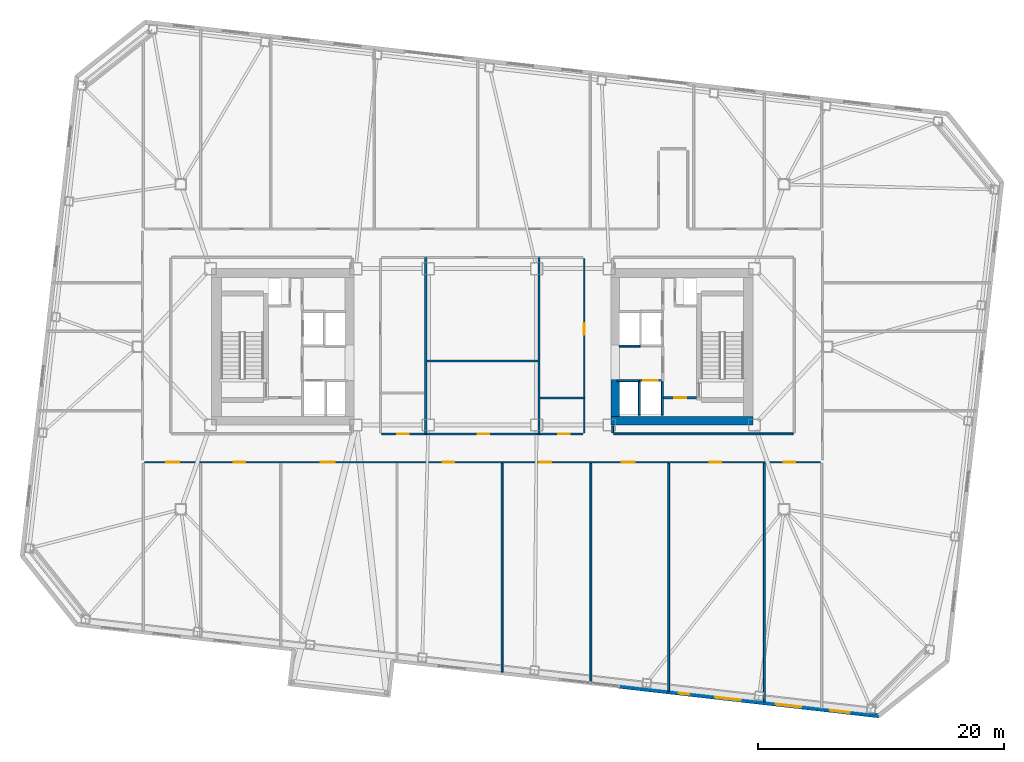
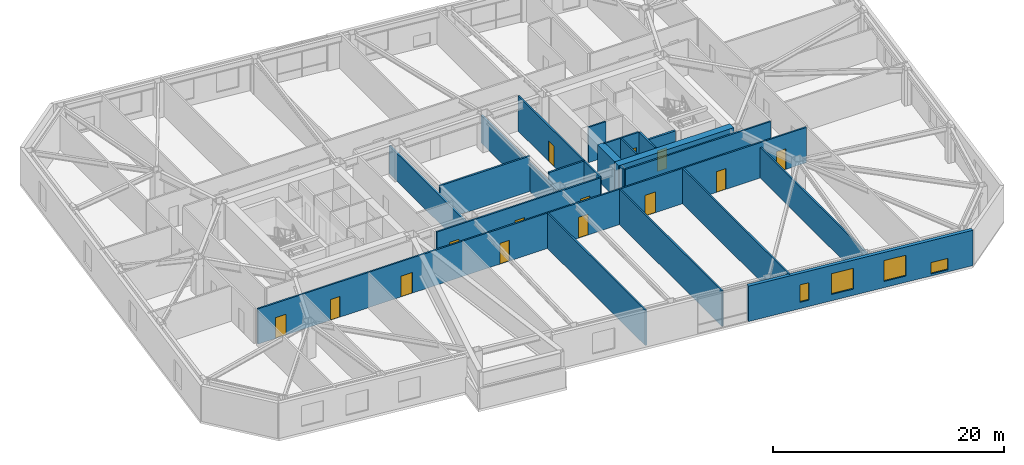
# One storey, part 11 of 19: 22 walls, 14 doors, 4 windows, 18 openings.
"""IFC4 building model written with IfcOpenShell, lengths in metres."""

from ifc_helpers import new_model, si_unit, direction, frame, frame_2d, origin, place, context, subcontext, project, spatial, rectangle, extrude, material, layer, layer_set, type_object, element, fill, save


model = new_model("IFC4")

# Units and contexts
model_context = context("Model", 3, precision=1e-05, world=origin(), true_north=direction((0.0, 1.0)))
body_context = subcontext(model_context, "Body", "Model", "MODEL_VIEW")
ifc_project = project(units=[si_unit("LENGTHUNIT", "METRE"), si_unit("AREAUNIT", "SQUARE_METRE"), si_unit("VOLUMEUNIT", "CUBIC_METRE"), si_unit("PLANEANGLEUNIT", "RADIAN"), si_unit("MASSUNIT", "GRAM", prefix="KILO")], contexts=[model_context])

# Site, building, storey
site_placement = place(None, origin())
site = spatial("IfcSite", under=ifc_project, at=site_placement, CompositionType="ELEMENT")
building_placement = place(site_placement, origin())
building = spatial("IfcBuilding", under=site, at=building_placement, Name="Tavrogorsk Clinical Tower", CompositionType="ELEMENT")
storey_placement = place(building_placement, frame((0.0, 0.0, 97.39990234375)))
storey = spatial("IfcBuildingStorey", under=building, at=storey_placement, Name="L21", CompositionType="ELEMENT", Elevation=97.39990234375)

# Wall, opening, door
ifc_material_1 = material(Name="Concrete B60", Category="concrete")
ifc_layer_1 = layer(ifc_material_1, 0.199951171875)
ifc_layer_set_1 = layer_set([ifc_layer_1], Name="Concrete B60")
wall_type_1 = type_object("IfcWallType", Name="CoreFireWall_200", PredefinedType="SOLIDWALL", material=ifc_layer_set_1)
wall_1_placement = place(storey_placement, frame((14.719970703125, -4.139892578125, 0.0), z_axis=(0.0, 0.0, 1.0), x_axis=(1.0, 0.0, 0.0)))
wall_1 = element("IfcWall", 1, at=wall_1_placement, inside=storey, type_object=wall_type_1, Name="L21 Core East South Core Room Fire Wall", PredefinedType="SOLIDWALL", context=body_context, shape_type="SweptSolid", body=[
    extrude(rectangle(XDim=2.659912109375, YDim=0.199951171875, at=frame_2d((1.330078125, 0.0))), origin(), (0.0, 0.0, 1.0), 3.739990234375),
])
opening_1_placement = place(wall_1_placement, frame((0.8798828125, 0.0, 0.0)))
opening_1 = element("IfcOpeningElement", 2, at=opening_1_placement, cuts=wall_1, Name="Opening ID-02", PredefinedType="OPENING", context=body_context, shape_type="SweptSolid", body=[
    extrude(rectangle(XDim=0.949951171875, YDim=2.199951171875, at=frame_2d((0.47509765625, 1.10009765625))), frame((0.0, 0.10986328125, 0.0), z_axis=(0.0, -1.0, 0.0), x_axis=(1.0, 0.0, 0.0)), (0.0, 0.0, 1.0), 0.219970703125),
])
ifc_material_2 = material(Name="Laminated timber leaf on aluminium frame", Category="wood")
door_type_1 = type_object("IfcDoorType", Name="InteriorDoor_ID02_950", OperationType="NOTDEFINED", PredefinedType="DOOR", material=ifc_material_2)
door_1_placement = place(opening_1_placement, origin())
door_1 = element("IfcDoor", 3, at=door_1_placement, inside=storey, type_object=door_type_1, Name="L21 Core East South Core Room Door", OperationType="SINGLE_SWING_RIGHT", OverallHeight=2.199951171875, OverallWidth=0.949951171875, PredefinedType="DOOR", context=body_context, shape_type="SweptSolid", body=[
    extrude(rectangle(XDim=0.949951171875, YDim=2.199951171875, at=frame_2d((0.47509765625, 1.10009765625))), frame((0.0, 0.02490234375, 0.0), z_axis=(0.0, -1.0, 0.0), x_axis=(1.0, 0.0, 0.0)), (0.0, 0.0, 1.0), 0.050048828125),
])
fill(opening_1, door_1)

# Wall, openings, doors
ifc_material_3 = material(Name="Lightweight concrete blockwork B15", Category="masonry")
ifc_layer_2 = layer(ifc_material_3, 0.159912109375)
ifc_layer_set_2 = layer_set([ifc_layer_2], Name="Lightweight concrete blockwork B15")
wall_type_2 = type_object("IfcWallType", Name="PartitionWall_160", PredefinedType="PARTITIONING", material=ifc_layer_set_2)
wall_2_placement = place(storey_placement, frame((27.465087890625, -9.3798828125, 0.0), z_axis=(0.0, 0.0, 1.0), x_axis=(-1.0, 0.0, 0.0)))
wall_2 = element("IfcWall", 4, at=wall_2_placement, inside=storey, type_object=wall_type_2, Name="L21 Corridor Partition 08", PredefinedType="PARTITIONING", context=body_context, shape_type="SweptSolid", body=[
    extrude(rectangle(XDim=54.93017578125, YDim=0.159912109375, at=frame_2d((27.465087890625, 0.0))), origin(), (0.0, 0.0, 1.0), 3.739990234375),
])
opening_2_placement = place(wall_2_placement, frame((52.10595703125, 0.0, 0.0)))
opening_2 = element("IfcOpeningElement", 5, at=opening_2_placement, cuts=wall_2, Name="Opening ID-04", PredefinedType="OPENING", context=body_context, shape_type="SweptSolid", body=[
    extrude(rectangle(XDim=1.050048828125, YDim=2.199951171875, at=frame_2d((0.52490234375, 1.10009765625))), frame((0.0, 0.08984375, 0.0), z_axis=(0.0, -1.0, 0.0), x_axis=(1.0, 0.0, 0.0)), (0.0, 0.0, 1.0), 0.179931640625),
])
opening_3_placement = place(wall_2_placement, frame((46.718505859375, 0.0, 0.0)))
opening_3 = element("IfcOpeningElement", 6, at=opening_3_placement, cuts=wall_2, Name="Opening ID-02", PredefinedType="OPENING", context=body_context, shape_type="SweptSolid", body=[
    extrude(rectangle(XDim=0.949951171875, YDim=2.199951171875, at=frame_2d((0.47509765625, 1.10009765625))), frame((0.0, 0.08984375, 0.0), z_axis=(0.0, -1.0, 0.0), x_axis=(1.0, 0.0, 0.0)), (0.0, 0.0, 1.0), 0.179931640625),
])
opening_4_placement = place(wall_2_placement, frame((39.46044921875, 0.0, 0.0)))
opening_4 = element("IfcOpeningElement", 7, at=opening_4_placement, cuts=wall_2, Name="Opening ID-06", PredefinedType="OPENING", context=body_context, shape_type="SweptSolid", body=[
    extrude(rectangle(XDim=1.14990234375, YDim=2.199951171875, at=frame_2d((0.574951171875, 1.10009765625))), frame((0.0, 0.08984375, 0.0), z_axis=(0.0, -1.0, 0.0), x_axis=(1.0, 0.0, 0.0)), (0.0, 0.0, 1.0), 0.179931640625),
])
opening_5_placement = place(wall_2_placement, frame((29.7470703125, 0.0, 0.0)))
opening_5 = element("IfcOpeningElement", 8, at=opening_5_placement, cuts=wall_2, Name="Opening ID-02", PredefinedType="OPENING", context=body_context, shape_type="SweptSolid", body=[
    extrude(rectangle(XDim=0.949951171875, YDim=2.199951171875, at=frame_2d((0.47509765625, 1.10009765625))), frame((0.0, 0.08984375, 0.0), z_axis=(0.0, -1.0, 0.0), x_axis=(1.0, 0.0, 0.0)), (0.0, 0.0, 1.0), 0.179931640625),
])
opening_6_placement = place(wall_2_placement, frame((21.8701171875, 0.0, 0.0)))
opening_6 = element("IfcOpeningElement", 9, at=opening_6_placement, cuts=wall_2, Name="Opening ID-02", PredefinedType="OPENING", context=body_context, shape_type="SweptSolid", body=[
    extrude(rectangle(XDim=0.949951171875, YDim=2.199951171875, at=frame_2d((0.47509765625, 1.10009765625))), frame((0.0, 0.08984375, 0.0), z_axis=(0.0, -1.0, 0.0), x_axis=(1.0, 0.0, 0.0)), (0.0, 0.0, 1.0), 0.179931640625),
])
opening_7_placement = place(wall_2_placement, frame((15.110107421875, 0.0, 0.0)))
opening_7 = element("IfcOpeningElement", 10, at=opening_7_placement, cuts=wall_2, Name="Opening ID-04", PredefinedType="OPENING", context=body_context, shape_type="SweptSolid", body=[
    extrude(rectangle(XDim=1.050048828125, YDim=2.199951171875, at=frame_2d((0.52490234375, 1.10009765625))), frame((0.0, 0.08984375, 0.0), z_axis=(0.0, -1.0, 0.0), x_axis=(1.0, 0.0, 0.0)), (0.0, 0.0, 1.0), 0.179931640625),
])
opening_8_placement = place(wall_2_placement, frame((8.06494140625, 0.0, 0.0)))
opening_8 = element("IfcOpeningElement", 11, at=opening_8_placement, cuts=wall_2, Name="Opening ID-02", PredefinedType="OPENING", context=body_context, shape_type="SweptSolid", body=[
    extrude(rectangle(XDim=0.949951171875, YDim=2.199951171875, at=frame_2d((0.47509765625, 1.10009765625))), frame((0.0, 0.08984375, 0.0), z_axis=(0.0, -1.0, 0.0), x_axis=(1.0, 0.0, 0.0)), (0.0, 0.0, 1.0), 0.179931640625),
])
opening_9_placement = place(wall_2_placement, frame((2.044189453125, 0.0, 0.0)))
opening_9 = element("IfcOpeningElement", 12, at=opening_9_placement, cuts=wall_2, Name="Opening ID-02", PredefinedType="OPENING", context=body_context, shape_type="SweptSolid", body=[
    extrude(rectangle(XDim=0.949951171875, YDim=2.199951171875, at=frame_2d((0.47509765625, 1.10009765625))), frame((0.0, 0.08984375, 0.0), z_axis=(0.0, -1.0, 0.0), x_axis=(1.0, 0.0, 0.0)), (0.0, 0.0, 1.0), 0.179931640625),
])
ifc_material_4 = material(Name="Antibacterial HPL consultation door on aluminium frame", Category="aluminium")
door_type_2 = type_object("IfcDoorType", Name="ConsultDoor_ID04_1050", OperationType="NOTDEFINED", PredefinedType="DOOR", material=ifc_material_4)
door_2_placement = place(opening_2_placement, origin())
door_2 = element("IfcDoor", 13, at=door_2_placement, inside=storey, type_object=door_type_2, Name="L21 South Endoscopy Briefing Conference Room 01 Door", OperationType="SINGLE_SWING_LEFT", OverallHeight=2.199951171875, OverallWidth=1.050048828125, PredefinedType="DOOR", context=body_context, shape_type="SweptSolid", body=[
    extrude(rectangle(XDim=1.050048828125, YDim=2.199951171875, at=frame_2d((0.52490234375, 1.10009765625))), frame((0.0, 0.02490234375, 0.0), z_axis=(0.0, -1.0, 0.0), x_axis=(1.0, 0.0, 0.0)), (0.0, 0.0, 1.0), 0.050048828125),
])
fill(opening_2, door_2)
door_3_placement = place(opening_7_placement, origin())
door_3 = element("IfcDoor", 14, at=door_3_placement, inside=storey, type_object=door_type_2, Name="L21 South Gastroenterology Academic Office 04B Door", OperationType="SINGLE_SWING_RIGHT", OverallHeight=2.199951171875, OverallWidth=1.050048828125, PredefinedType="DOOR", context=body_context, shape_type="SweptSolid", body=[
    extrude(rectangle(XDim=1.050048828125, YDim=2.199951171875, at=frame_2d((0.52490234375, 1.10009765625))), frame((0.0, 0.02490234375, 0.0), z_axis=(0.0, -1.0, 0.0), x_axis=(1.0, 0.0, 0.0)), (0.0, 0.0, 1.0), 0.050048828125),
])
fill(opening_7, door_3)
door_4_placement = place(opening_3_placement, origin())
door_4 = element("IfcDoor", 15, at=door_4_placement, inside=storey, type_object=door_type_1, Name="L21 South Patient Post-Procedure Tea Lounge 02 Door", OperationType="SINGLE_SWING_RIGHT", OverallHeight=2.199951171875, OverallWidth=0.949951171875, PredefinedType="DOOR", context=body_context, shape_type="SweptSolid", body=[
    extrude(rectangle(XDim=0.949951171875, YDim=2.199951171875, at=frame_2d((0.47509765625, 1.10009765625))), frame((0.0, 0.02490234375, 0.0), z_axis=(0.0, -1.0, 0.0), x_axis=(1.0, 0.0, 0.0)), (0.0, 0.0, 1.0), 0.050048828125),
])
fill(opening_3, door_4)
door_5_placement = place(opening_5_placement, origin())
door_5 = element("IfcDoor", 16, at=door_5_placement, inside=storey, type_object=door_type_1, Name="L21 South Biomedical Scope Storage Room 03B Door", OperationType="SINGLE_SWING_RIGHT", OverallHeight=2.199951171875, OverallWidth=0.949951171875, PredefinedType="DOOR", context=body_context, shape_type="SweptSolid", body=[
    extrude(rectangle(XDim=0.949951171875, YDim=2.199951171875, at=frame_2d((0.47509765625, 1.10009765625))), frame((0.0, 0.02490234375, 0.0), z_axis=(0.0, -1.0, 0.0), x_axis=(1.0, 0.0, 0.0)), (0.0, 0.0, 1.0), 0.050048828125),
])
fill(opening_5, door_5)
door_6_placement = place(opening_6_placement, origin())
door_6 = element("IfcDoor", 17, at=door_6_placement, inside=storey, type_object=door_type_1, Name="L21 South Patient Post-Procedure Tea Lounge 04A Door", OperationType="SINGLE_SWING_LEFT", OverallHeight=2.199951171875, OverallWidth=0.949951171875, PredefinedType="DOOR", context=body_context, shape_type="SweptSolid", body=[
    extrude(rectangle(XDim=0.949951171875, YDim=2.199951171875, at=frame_2d((0.47509765625, 1.10009765625))), frame((0.0, 0.02490234375, 0.0), z_axis=(0.0, -1.0, 0.0), x_axis=(1.0, 0.0, 0.0)), (0.0, 0.0, 1.0), 0.050048828125),
])
fill(opening_6, door_6)
door_7_placement = place(opening_8_placement, origin())
door_7 = element("IfcDoor", 18, at=door_7_placement, inside=storey, type_object=door_type_1, Name="L21 South Endoscopy Briefing Conference Room 05 Door", OperationType="SINGLE_SWING_LEFT", OverallHeight=2.199951171875, OverallWidth=0.949951171875, PredefinedType="DOOR", context=body_context, shape_type="SweptSolid", body=[
    extrude(rectangle(XDim=0.949951171875, YDim=2.199951171875, at=frame_2d((0.47509765625, 1.10009765625))), frame((0.0, 0.02490234375, 0.0), z_axis=(0.0, -1.0, 0.0), x_axis=(1.0, 0.0, 0.0)), (0.0, 0.0, 1.0), 0.050048828125),
])
fill(opening_8, door_7)
door_8_placement = place(opening_9_placement, origin())
door_8 = element("IfcDoor", 19, at=door_8_placement, inside=storey, type_object=door_type_1, Name="L21 South Patient Post-Procedure Tea Lounge 06 Door", OperationType="SINGLE_SWING_RIGHT", OverallHeight=2.199951171875, OverallWidth=0.949951171875, PredefinedType="DOOR", context=body_context, shape_type="SweptSolid", body=[
    extrude(rectangle(XDim=0.949951171875, YDim=2.199951171875, at=frame_2d((0.47509765625, 1.10009765625))), frame((0.0, 0.02490234375, 0.0), z_axis=(0.0, -1.0, 0.0), x_axis=(1.0, 0.0, 0.0)), (0.0, 0.0, 1.0), 0.050048828125),
])
fill(opening_9, door_8)
ifc_material_5 = material(Name="Antibacterial HPL procedure door on aluminium frame", Category="aluminium")
door_type_3 = type_object("IfcDoorType", Name="LabDoor_ID06_1150", OperationType="NOTDEFINED", PredefinedType="DOOR", material=ifc_material_5)
door_9_placement = place(opening_4_placement, origin())
door_9 = element("IfcDoor", 20, at=door_9_placement, inside=storey, type_object=door_type_3, Name="L21 South Endoscopy Briefing Conference Room 03A Door", OperationType="SINGLE_SWING_LEFT", OverallHeight=2.199951171875, OverallWidth=1.14990234375, PredefinedType="DOOR", context=body_context, shape_type="SweptSolid", body=[
    extrude(rectangle(XDim=1.14990234375, YDim=2.199951171875, at=frame_2d((0.574951171875, 1.10009765625))), frame((0.0, 0.02490234375, 0.0), z_axis=(0.0, -1.0, 0.0), x_axis=(1.0, 0.0, 0.0)), (0.0, 0.0, 1.0), 0.050048828125),
])
fill(opening_4, door_9)

# Walls
wall_3_placement = place(storey_placement, frame((10.580078125, -6.419921875, 0.0), z_axis=(0.0, 0.0, 1.0), x_axis=(0.0, -1.0, 0.0)))
element("IfcWall", 21, at=wall_3_placement, inside=storey, type_object=wall_type_2, Name="L21 Corridor Partition 11", PredefinedType="PARTITIONING", context=body_context, shape_type="SweptSolid", body=[
    extrude(rectangle(XDim=0.565185546875, YDim=0.159912109375, at=frame_2d((0.28271484375, 0.0))), origin(), (0.0, 0.0, 1.0), 3.739990234375),
])
wall_4_placement = place(storey_placement, frame((10.6650390625, -7.070068359375, 0.0), z_axis=(0.0, 0.0, 1.0), x_axis=(1.0, 0.0, 0.0)))
element("IfcWall", 22, at=wall_4_placement, inside=storey, type_object=wall_type_2, Name="L21 Corridor Partition 12", PredefinedType="PARTITIONING", context=body_context, shape_type="SweptSolid", body=[
    extrude(rectangle(XDim=14.570068359375, YDim=0.159912109375, at=frame_2d((7.28515625, 0.0))), origin(), (0.0, 0.0, 1.0), 3.739990234375),
])

# Wall, opening, door
wall_5_placement = place(storey_placement, frame((8.27001953125, -6.985107421875, 0.0), z_axis=(0.0, 0.0, 1.0), x_axis=(0.0, 1.0, 0.0)))
wall_5 = element("IfcWall", 23, at=wall_5_placement, inside=storey, type_object=wall_type_2, Name="L21 Corridor Partition 14", PredefinedType="PARTITIONING", context=body_context, shape_type="SweptSolid", body=[
    extrude(rectangle(XDim=14.170166015625, YDim=0.159912109375, at=frame_2d((7.0849609375, 0.0))), origin(), (0.0, 0.0, 1.0), 3.739990234375),
])
opening_10_placement = place(wall_5_placement, frame((7.9609375, 0.0, 0.0)))
opening_10 = element("IfcOpeningElement", 24, at=opening_10_placement, cuts=wall_5, Name="Opening ID-02", PredefinedType="OPENING", context=body_context, shape_type="SweptSolid", body=[
    extrude(rectangle(XDim=0.949951171875, YDim=2.199951171875, at=frame_2d((0.47509765625, 1.10009765625))), frame((0.0, 0.08984375, 0.0), z_axis=(0.0, -1.0, 0.0), x_axis=(1.0, 0.0, 0.0)), (0.0, 0.0, 1.0), 0.179931640625),
])
door_10_placement = place(opening_10_placement, origin())
door_10 = element("IfcDoor", 25, at=door_10_placement, inside=storey, type_object=door_type_1, Name="L21 Attending Physician Office Door", OperationType="SINGLE_SWING_RIGHT", OverallHeight=2.199951171875, OverallWidth=0.949951171875, PredefinedType="DOOR", context=body_context, shape_type="SweptSolid", body=[
    extrude(rectangle(XDim=0.949951171875, YDim=2.199951171875, at=frame_2d((0.47509765625, 1.10009765625))), frame((0.0, 0.02490234375, 0.0), z_axis=(0.0, -1.0, 0.0), x_axis=(1.0, 0.0, 0.0)), (0.0, 0.0, 1.0), 0.050048828125),
])
fill(opening_10, door_10)

# Wall, openings, doors
wall_6_placement = place(storey_placement, frame((-8.18505859375, -7.070068359375, 0.0), z_axis=(0.0, 0.0, 1.0), x_axis=(1.0, 0.0, 0.0)))
wall_6 = element("IfcWall", 26, at=wall_6_placement, inside=storey, type_object=wall_type_2, Name="L21 Corridor Partition 17", PredefinedType="PARTITIONING", context=body_context, shape_type="SweptSolid", body=[
    extrude(rectangle(XDim=16.3701171875, YDim=0.159912109375, at=frame_2d((8.18505859375, 0.0))), origin(), (0.0, 0.0, 1.0), 3.739990234375),
])
opening_11_placement = place(wall_6_placement, frame((1.254150390625, 0.0, 0.0)))
opening_11 = element("IfcOpeningElement", 27, at=opening_11_placement, cuts=wall_6, Name="Opening ID-02", PredefinedType="OPENING", context=body_context, shape_type="SweptSolid", body=[
    extrude(rectangle(XDim=0.949951171875, YDim=2.199951171875, at=frame_2d((0.47509765625, 1.10009765625))), frame((0.0, 0.08984375, 0.0), z_axis=(0.0, -1.0, 0.0), x_axis=(1.0, 0.0, 0.0)), (0.0, 0.0, 1.0), 0.179931640625),
])
opening_12_placement = place(wall_6_placement, frame((7.794921875, 0.0, 0.0)))
opening_12 = element("IfcOpeningElement", 28, at=opening_12_placement, cuts=wall_6, Name="Opening ID-02", PredefinedType="OPENING", context=body_context, shape_type="SweptSolid", body=[
    extrude(rectangle(XDim=0.949951171875, YDim=2.199951171875, at=frame_2d((0.47509765625, 1.10009765625))), frame((0.0, 0.08984375, 0.0), z_axis=(0.0, -1.0, 0.0), x_axis=(1.0, 0.0, 0.0)), (0.0, 0.0, 1.0), 0.179931640625),
])
opening_13_placement = place(wall_6_placement, frame((14.3359375, 0.0, 0.0)))
opening_13 = element("IfcOpeningElement", 29, at=opening_13_placement, cuts=wall_6, Name="Opening ID-02", PredefinedType="OPENING", context=body_context, shape_type="SweptSolid", body=[
    extrude(rectangle(XDim=0.949951171875, YDim=2.199951171875, at=frame_2d((0.47509765625, 1.10009765625))), frame((0.0, 0.08984375, 0.0), z_axis=(0.0, -1.0, 0.0), x_axis=(1.0, 0.0, 0.0)), (0.0, 0.0, 1.0), 0.179931640625),
])
door_11_placement = place(opening_11_placement, origin())
door_11 = element("IfcDoor", 30, at=door_11_placement, inside=storey, type_object=door_type_1, Name="L21 Accessible Patient Lavatory Door", OperationType="SINGLE_SWING_LEFT", OverallHeight=2.199951171875, OverallWidth=0.949951171875, PredefinedType="DOOR", context=body_context, shape_type="SweptSolid", body=[
    extrude(rectangle(XDim=0.949951171875, YDim=2.199951171875, at=frame_2d((0.47509765625, 1.10009765625))), frame((0.0, 0.02490234375, 0.0), z_axis=(0.0, -1.0, 0.0), x_axis=(1.0, 0.0, 0.0)), (0.0, 0.0, 1.0), 0.050048828125),
])
fill(opening_11, door_11)
door_12_placement = place(opening_12_placement, origin())
door_12 = element("IfcDoor", 31, at=door_12_placement, inside=storey, type_object=door_type_1, Name="L21 Multidisciplinary Conference Room Door", OperationType="SINGLE_SWING_LEFT", OverallHeight=2.199951171875, OverallWidth=0.949951171875, PredefinedType="DOOR", context=body_context, shape_type="SweptSolid", body=[
    extrude(rectangle(XDim=0.949951171875, YDim=2.199951171875, at=frame_2d((0.47509765625, 1.10009765625))), frame((0.0, 0.02490234375, 0.0), z_axis=(0.0, -1.0, 0.0), x_axis=(1.0, 0.0, 0.0)), (0.0, 0.0, 1.0), 0.050048828125),
])
fill(opening_12, door_12)
door_13_placement = place(opening_13_placement, origin())
door_13 = element("IfcDoor", 32, at=door_13_placement, inside=storey, type_object=door_type_1, Name="L21 Staff & Visitor Accessible WC Door", OperationType="SINGLE_SWING_LEFT", OverallHeight=2.199951171875, OverallWidth=0.949951171875, PredefinedType="DOOR", context=body_context, shape_type="SweptSolid", body=[
    extrude(rectangle(XDim=0.949951171875, YDim=2.199951171875, at=frame_2d((0.47509765625, 1.10009765625))), frame((0.0, 0.02490234375, 0.0), z_axis=(0.0, -1.0, 0.0), x_axis=(1.0, 0.0, 0.0)), (0.0, 0.0, 1.0), 0.050048828125),
])
fill(opening_13, door_13)

# Walls
wall_7_placement = place(storey_placement, frame((1.60009765625, -26.427734375, 0.0), z_axis=(0.0, 0.0, 1.0), x_axis=(0.0, 1.0, 0.0)))
element("IfcWall", 33, at=wall_7_placement, inside=storey, type_object=wall_type_2, Name="L21 South Room Partition 3", PredefinedType="PARTITIONING", context=body_context, shape_type="SweptSolid", body=[
    extrude(rectangle(XDim=16.962646484375, YDim=0.159912109375, at=frame_2d((8.4814453125, 0.0))), origin(), (0.0, 0.0, 1.0), 3.739990234375),
])
wall_8_placement = place(storey_placement, frame((15.1201171875, -27.96826171875, 0.0), z_axis=(0.0, 0.0, 1.0), x_axis=(0.0, 1.0, 0.0)))
element("IfcWall", 34, at=wall_8_placement, inside=storey, type_object=wall_type_2, Name="L21 South Room Partition 4", PredefinedType="PARTITIONING", context=body_context, shape_type="SweptSolid", body=[
    extrude(rectangle(XDim=18.503173828125, YDim=0.159912109375, at=frame_2d((9.25146484375, 0.0))), origin(), (0.0, 0.0, 1.0), 3.739990234375),
])
wall_9_placement = place(storey_placement, frame((22.89990234375, -28.8544921875, 0.0), z_axis=(0.0, 0.0, 1.0), x_axis=(0.0, 1.0, 0.0)))
element("IfcWall", 35, at=wall_9_placement, inside=storey, type_object=wall_type_2, Name="L21 South Room Partition 5", PredefinedType="PARTITIONING", context=body_context, shape_type="SweptSolid", body=[
    extrude(rectangle(XDim=19.389404296875, YDim=0.159912109375, at=frame_2d((9.69482421875, 0.0))), origin(), (0.0, 0.0, 1.0), 3.235107421875),
])
wall_10_placement = place(storey_placement, frame((8.81005859375, -27.249267578125, 0.0), z_axis=(0.0, 0.0, 1.0), x_axis=(0.0, 1.0, 0.0)))
element("IfcWall", 36, at=wall_10_placement, inside=storey, type_object=wall_type_2, Name="L21 South Sub-Partition 4", PredefinedType="PARTITIONING", context=body_context, shape_type="SweptSolid", body=[
    extrude(rectangle(XDim=17.7841796875, YDim=0.159912109375, at=frame_2d((8.89208984375, 0.0))), origin(), (0.0, 0.0, 1.0), 3.739990234375),
])
ifc_material_6 = material(Name="Lightweight concrete blockwork B20", Category="masonry")
ifc_layer_3 = layer(ifc_material_6, 0.179931640625)
ifc_layer_set_3 = layer_set([ifc_layer_3], Name="Lightweight concrete blockwork B20")
wall_type_3 = type_object("IfcWallType", Name="PartitionWall_180", PredefinedType="PARTITIONING", material=ifc_layer_set_3)
for number, where, z_axis, x_axis, name in (
    (37, (-4.60009765625, -7.06494140625, 0.0), (0.0, 0.0, 1.0), (0.0, 1.0, 0.0), "L21 Central Spine Partition 1"),
    (38, (4.60009765625, -7.06494140625, 0.0), (0.0, 0.0, 1.0), (0.0, 1.0, 0.0), "L21 Central Spine Partition 2"),
):
    element("IfcWall", number, at=place(storey_placement, frame(where, z_axis=z_axis, x_axis=x_axis)), inside=storey, type_object=wall_type_3, Name=name, PredefinedType="PARTITIONING", context=body_context, shape_type="SweptSolid", body=[
        extrude(rectangle(XDim=14.329833984375, YDim=0.179931640625, at=frame_2d((7.1650390625, 0.0))), origin(), (0.0, 0.0, 1.0), 2.93505859375),
    ])
wall_11_placement = place(storey_placement, frame((-4.5048828125, -1.14990234375, 0.0), z_axis=(0.0, 0.0, 1.0), x_axis=(1.0, 0.0, 0.0)))
element("IfcWall", 39, at=wall_11_placement, inside=storey, type_object=wall_type_3, Name="L21 Central Spine Partition 3", PredefinedType="PARTITIONING", context=body_context, shape_type="SweptSolid", body=[
    extrude(rectangle(XDim=9.009765625, YDim=0.179931640625, at=frame_2d((4.5048828125, 0.0))), origin(), (0.0, 0.0, 1.0), 3.739990234375),
])
wall_12_placement = place(storey_placement, frame((4.695068359375, -4.14990234375, 0.0), z_axis=(0.0, 0.0, 1.0), x_axis=(1.0, 0.0, 0.0)))
element("IfcWall", 40, at=wall_12_placement, inside=storey, type_object=wall_type_3, Name="L21 Central Spine Partition 5", PredefinedType="PARTITIONING", context=body_context, shape_type="SweptSolid", body=[
    extrude(rectangle(XDim=3.56982421875, YDim=0.179931640625, at=frame_2d((1.784912109375, 0.0))), origin(), (0.0, 0.0, 1.0), 3.739990234375),
])

# Wall, openings, windows
ifc_material_7 = material(Name="Precast concrete B45 with limestone cladding", Category="masonry")
ifc_layer_4 = layer(ifc_material_7, 0.340087890625)
ifc_layer_set_4 = layer_set([ifc_layer_4], Name="Precast concrete B45 with limestone cladding")
wall_type_4 = type_object("IfcWallType", Name="PrecastLimestoneWall_340", PredefinedType="STANDARD", material=ifc_layer_set_4)
wall_13_placement = place(storey_placement, frame((11.114501953125, -27.582275390625, 0.0), z_axis=(0.0, 0.0, 1.0), x_axis=(0.993572655904, -0.113196190044, 0.0)))
wall_13 = element("IfcWall", 41, at=wall_13_placement, inside=storey, type_object=wall_type_4, Name="L21 S Limestone Facade Wall 3", PredefinedType="STANDARD", context=body_context, shape_type="SweptSolid", body=[
    extrude(rectangle(XDim=21.222900390625, YDim=0.340087890625, at=frame_2d((10.611328125, 0.0))), origin(), (0.0, 0.0, 1.0), 3.739990234375),
])
opening_14_placement = place(wall_13_placement, frame((4.866455078125, 0.0, 0.669921875)))
opening_14 = element("IfcOpeningElement", 42, at=opening_14_placement, cuts=wall_13, Name="Opening WN-06", PredefinedType="OPENING", context=body_context, shape_type="SweptSolid", body=[
    extrude(rectangle(XDim=0.85009765625, YDim=1.85009765625, at=frame_2d((0.425048828125, 0.925048828125))), frame((0.0, 0.179931640625, 0.0), z_axis=(0.0, -1.0, 0.0), x_axis=(1.0, 0.0, 0.0)), (0.0, 0.0, 1.0), 0.360107421875),
])
opening_15_placement = place(wall_13_placement, frame((7.837890625, 0.0, 0.669921875)))
opening_15 = element("IfcOpeningElement", 43, at=opening_15_placement, cuts=wall_13, Name="Opening WN-03", PredefinedType="OPENING", context=body_context, shape_type="SweptSolid", body=[
    extrude(rectangle(XDim=2.10009765625, YDim=2.199951171875, at=frame_2d((1.050048828125, 1.10009765625))), frame((0.0, 0.179931640625, 0.0), z_axis=(0.0, -1.0, 0.0), x_axis=(1.0, 0.0, 0.0)), (0.0, 0.0, 1.0), 0.360107421875),
])
opening_16_placement = place(wall_13_placement, frame((12.793701171875, 0.0, 0.669921875)))
opening_16 = element("IfcOpeningElement", 44, at=opening_16_placement, cuts=wall_13, Name="Opening WN-03", PredefinedType="OPENING", context=body_context, shape_type="SweptSolid", body=[
    extrude(rectangle(XDim=2.10009765625, YDim=2.199951171875, at=frame_2d((1.050048828125, 1.10009765625))), frame((0.0, 0.179931640625, 0.0), z_axis=(0.0, -1.0, 0.0), x_axis=(1.0, 0.0, 0.0)), (0.0, 0.0, 1.0), 0.360107421875),
])
opening_17_placement = place(wall_13_placement, frame((17.264892578125, 0.0, 0.219970703125)))
opening_17 = element("IfcOpeningElement", 45, at=opening_17_placement, cuts=wall_13, Name="Opening WN-09", PredefinedType="OPENING", context=body_context, shape_type="SweptSolid", body=[
    extrude(rectangle(XDim=1.60009765625, YDim=1.199951171875, at=frame_2d((0.800048828125, 0.60009765625))), frame((0.0, 0.179931640625, 0.0), z_axis=(0.0, -1.0, 0.0), x_axis=(1.0, 0.0, 0.0)), (0.0, 0.0, 1.0), 0.360107421875),
])
ifc_material_8 = material(Name="Thermally broken aluminium frame and triple IGU", Category="aluminium")
window_type_1 = type_object("IfcWindowType", Name="LowHeadTransWin_1600x1200", PartitioningType="DOUBLE_PANEL_VERTICAL", PredefinedType="WINDOW", material=ifc_material_8)
window_1_placement = place(opening_17_placement, origin())
window_1 = element("IfcWindow", 46, at=window_1_placement, inside=storey, type_object=window_type_1, Name="L21 S Chicago Window 10", OverallHeight=1.199951171875, OverallWidth=1.60009765625, PartitioningType="SINGLE_PANEL", PredefinedType="WINDOW", context=body_context, shape_type="SweptSolid", body=[
    extrude(rectangle(XDim=1.60009765625, YDim=1.199951171875, at=frame_2d((0.800048828125, 0.60009765625))), frame((0.0, 0.030029296875, 0.0), z_axis=(0.0, -1.0, 0.0), x_axis=(1.0, 0.0, 0.0)), (0.0, 0.0, 1.0), 0.06005859375),
])
fill(opening_17, window_1)
ifc_material_9 = material(Name="Thermally broken aluminium frame and triple IGU", Category="aluminium")
window_type_2 = type_object("IfcWindowType", Name="MullionSubWin_850x1850", PartitioningType="SINGLE_PANEL", PredefinedType="WINDOW", material=ifc_material_9)
window_2_placement = place(opening_14_placement, origin())
window_2 = element("IfcWindow", 47, at=window_2_placement, inside=storey, type_object=window_type_2, Name="L21 S Mullion Split Window 07B", OverallHeight=1.85009765625, OverallWidth=0.85009765625, PartitioningType="SINGLE_PANEL", PredefinedType="WINDOW", context=body_context, shape_type="SweptSolid", body=[
    extrude(rectangle(XDim=0.85009765625, YDim=1.85009765625, at=frame_2d((0.425048828125, 0.925048828125))), frame((0.0, 0.030029296875, 0.0), z_axis=(0.0, -1.0, 0.0), x_axis=(1.0, 0.0, 0.0)), (0.0, 0.0, 1.0), 0.06005859375),
])
fill(opening_14, window_2)
ifc_material_10 = material(Name="Thermally broken aluminium frame and triple IGU", Category="aluminium")
window_type_3 = type_object("IfcWindowType", Name="PatientTwinWin_2100x2200", PartitioningType="DOUBLE_PANEL_VERTICAL", PredefinedType="WINDOW", material=ifc_material_10)
window_3_placement = place(opening_15_placement, origin())
window_3 = element("IfcWindow", 48, at=window_3_placement, inside=storey, type_object=window_type_3, Name="L21 S Chicago Window 08", OverallHeight=2.199951171875, OverallWidth=2.10009765625, PartitioningType="SINGLE_PANEL", PredefinedType="WINDOW", context=body_context, shape_type="SweptSolid", body=[
    extrude(rectangle(XDim=2.10009765625, YDim=2.199951171875, at=frame_2d((1.050048828125, 1.10009765625))), frame((0.0, 0.030029296875, 0.0), z_axis=(0.0, -1.0, 0.0), x_axis=(1.0, 0.0, 0.0)), (0.0, 0.0, 1.0), 0.06005859375),
])
fill(opening_15, window_3)
window_4_placement = place(opening_16_placement, origin())
window_4 = element("IfcWindow", 49, at=window_4_placement, inside=storey, type_object=window_type_3, Name="L21 S Chicago Window 09", OverallHeight=2.199951171875, OverallWidth=2.10009765625, PartitioningType="SINGLE_PANEL", PredefinedType="WINDOW", context=body_context, shape_type="SweptSolid", body=[
    extrude(rectangle(XDim=2.10009765625, YDim=2.199951171875, at=frame_2d((1.050048828125, 1.10009765625))), frame((0.0, 0.030029296875, 0.0), z_axis=(0.0, -1.0, 0.0), x_axis=(1.0, 0.0, 0.0)), (0.0, 0.0, 1.0), 0.06005859375),
])
fill(opening_16, window_4)

# Wall, opening, door
ifc_material_11 = material(Name="Lightweight concrete blockwork B25", Category="masonry")
ifc_layer_5 = layer(ifc_material_11, 0.159912109375)
ifc_layer_set_5 = layer_set([ifc_layer_5], Name="Lightweight concrete blockwork B25")
wall_type_5 = type_object("IfcWallType", Name="ShaftWall_160", PredefinedType="PARTITIONING", material=ifc_layer_set_5)
wall_14_placement = place(storey_placement, frame((12.77001953125, -2.75, 0.0), z_axis=(0.0, 0.0, 1.0), x_axis=(1.0, 0.0, 0.0)))
wall_14 = element("IfcWall", 50, at=wall_14_placement, inside=storey, type_object=wall_type_5, Name="L21 LP-L2 Lift Shaft Portal Wall", PredefinedType="PARTITIONING", context=body_context, shape_type="SweptSolid", body=[
    extrude(rectangle(XDim=1.760009765625, YDim=0.159912109375, at=frame_2d((0.8798828125, 0.0))), origin(), (0.0, 0.0, 1.0), 3.739990234375),
])
opening_18_placement = place(wall_14_placement, frame((0.280029296875, 0.0, 0.0)))
opening_18 = element("IfcOpeningElement", 51, at=opening_18_placement, cuts=wall_14, Name="Opening LD", PredefinedType="OPENING", context=body_context, shape_type="SweptSolid", body=[
    extrude(rectangle(XDim=1.199951171875, YDim=2.199951171875, at=frame_2d((0.60009765625, 1.10009765625))), frame((0.0, 0.08984375, 0.0), z_axis=(0.0, -1.0, 0.0), x_axis=(1.0, 0.0, 0.0)), (0.0, 0.0, 1.0), 0.179931640625),
])
ifc_material_12 = material(Name="Brushed stainless steel AISI 304 sliding doors", Category="steel")
door_type_4 = type_object("IfcDoorType", Name="LiftLandingDoor_LD_1200", OperationType="SLIDING_TO_LEFT", PredefinedType="DOOR", material=ifc_material_12)
door_14_placement = place(opening_18_placement, origin())
door_14 = element("IfcDoor", 52, at=door_14_placement, inside=storey, type_object=door_type_4, Name="L21 LP-L2 Sliding Lift Landing Door", OperationType="SLIDING_TO_LEFT", OverallHeight=2.199951171875, OverallWidth=1.199951171875, PredefinedType="DOOR", context=body_context, shape_type="SweptSolid", body=[
    extrude(rectangle(XDim=1.199951171875, YDim=2.199951171875, at=frame_2d((0.60009765625, 1.10009765625))), frame((0.0, 0.02490234375, 0.0), z_axis=(0.0, -1.0, 0.0), x_axis=(1.0, 0.0, 0.0)), (0.0, 0.0, 1.0), 0.050048828125),
])
fill(opening_18, door_14)

# Walls
for number, where, z_axis, x_axis, name in (
    (53, (12.75, -5.5400390625, 0.0), (0.0, 0.0, 1.0), (0.0, 1.0, 0.0), "L21 LP-L2 Lift Hoistway Divider Wall"),
    (54, (14.610107421875, -5.5400390625, 0.0), (0.0, 0.0, 1.0), (0.0, 1.0, 0.0), "L21 LP-L2 Lift Hoistway Outer Cheek Wall"),
):
    element("IfcWall", number, at=place(storey_placement, frame(where, z_axis=z_axis, x_axis=x_axis)), inside=storey, type_object=wall_type_5, Name=name, PredefinedType="PARTITIONING", context=body_context, shape_type="SweptSolid", body=[
        extrude(rectangle(XDim=2.699951171875, YDim=0.159912109375, at=frame_2d((1.35009765625, 0.0))), origin(), (0.0, 0.0, 1.0), 3.739990234375),
    ])
wall_15_placement = place(storey_placement, frame((10.969970703125, -2.75, 0.0), z_axis=(0.0, 0.0, 1.0), x_axis=(1.0, 0.0, 0.0)))
element("IfcWall", 55, at=wall_15_placement, inside=storey, type_object=wall_type_5, Name="L21 LP-M2 Lift Shaft Portal Wall", PredefinedType="PARTITIONING", context=body_context, shape_type="SweptSolid", body=[
    extrude(rectangle(XDim=1.760009765625, YDim=0.159912109375, at=frame_2d((0.8798828125, 0.0))), origin(), (0.0, 0.0, 1.0), 3.739990234375),
])
wall_16_placement = place(storey_placement, frame((11.10009765625, 0.06005859375, 0.0), z_axis=(0.0, 0.0, 1.0), x_axis=(1.0, 0.0, 0.0)))
element("IfcWall", 56, at=wall_16_placement, inside=storey, type_object=wall_type_5, Name="L21 LP-H2 High-Zone Lift Portal Wall", PredefinedType="PARTITIONING", context=body_context, shape_type="SweptSolid", body=[
    extrude(rectangle(XDim=1.719970703125, YDim=0.159912109375, at=frame_2d((0.85986328125, 0.0))), origin(), (0.0, 0.0, 1.0), 3.739990234375),
])
ifc_material_13 = material(Name="Concrete B80", Category="concrete")
ifc_layer_6 = layer(ifc_material_13, 0.699951171875)
ifc_layer_set_6 = layer_set([ifc_layer_6], Name="Concrete B80")
wall_type_6 = type_object("IfcWallType", Name="ShearWall_700", PredefinedType="SHEAR", material=ifc_layer_set_6)
wall_17_placement = place(storey_placement, frame((10.449951171875, -6.0, 0.0), z_axis=(0.0, 0.0, 1.0), x_axis=(1.0, 0.0, 0.0)))
element("IfcWall", 57, at=wall_17_placement, inside=storey, type_object=wall_type_6, Name="L21 Core East South Shear Wall", PredefinedType="SHEAR", context=body_context, shape_type="SweptSolid", body=[
    extrude(rectangle(XDim=11.550048828125, YDim=0.699951171875, at=frame_2d((5.77490234375, 0.0))), origin(), (0.0, 0.0, 1.0), 3.739990234375),
])
wall_18_placement = place(storey_placement, frame((10.800048828125, -5.64990234375, 0.0), z_axis=(0.0, 0.0, 1.0), x_axis=(0.0, 1.0, 0.0)))
element("IfcWall", 58, at=wall_18_placement, inside=storey, type_object=wall_type_6, Name="L21 Core East Inner South Pier", PredefinedType="SHEAR", context=body_context, shape_type="SweptSolid", body=[
    extrude(rectangle(XDim=3.0, YDim=0.699951171875, at=frame_2d((1.5, 0.0))), origin(), (0.0, 0.0, 1.0), 3.739990234375),
])

save(model, "model.ifc")
